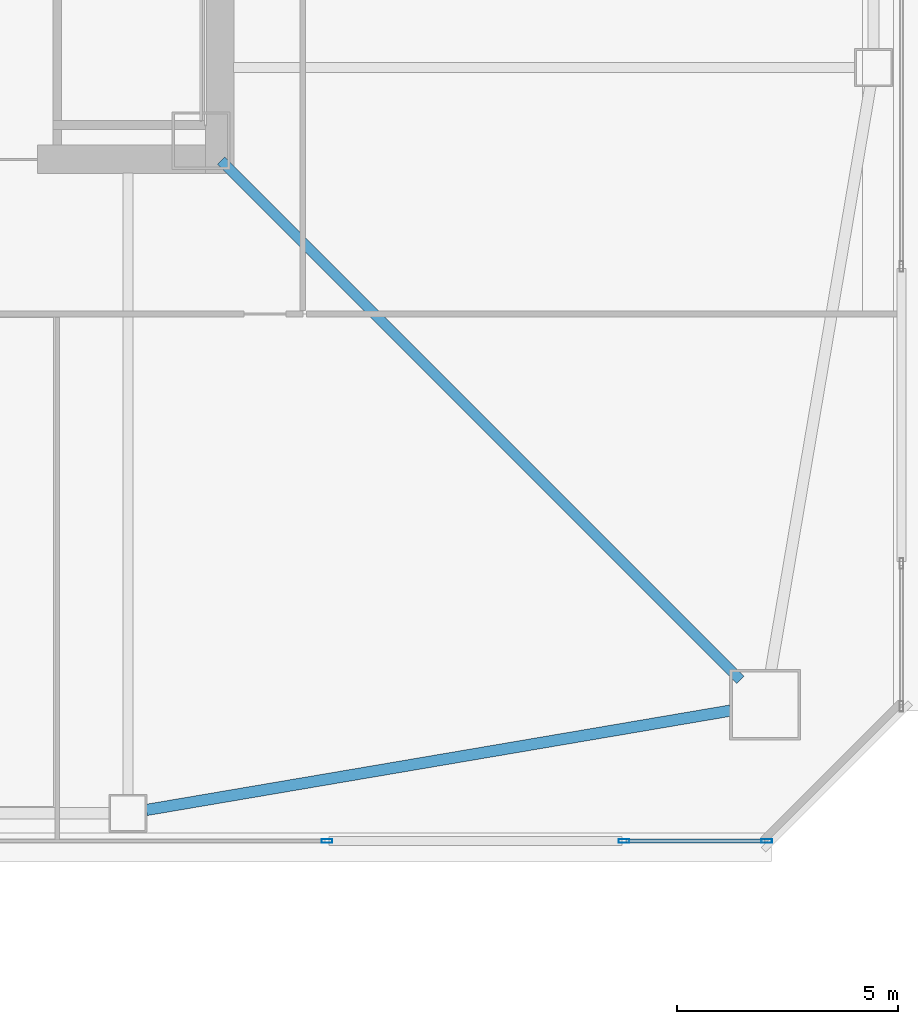
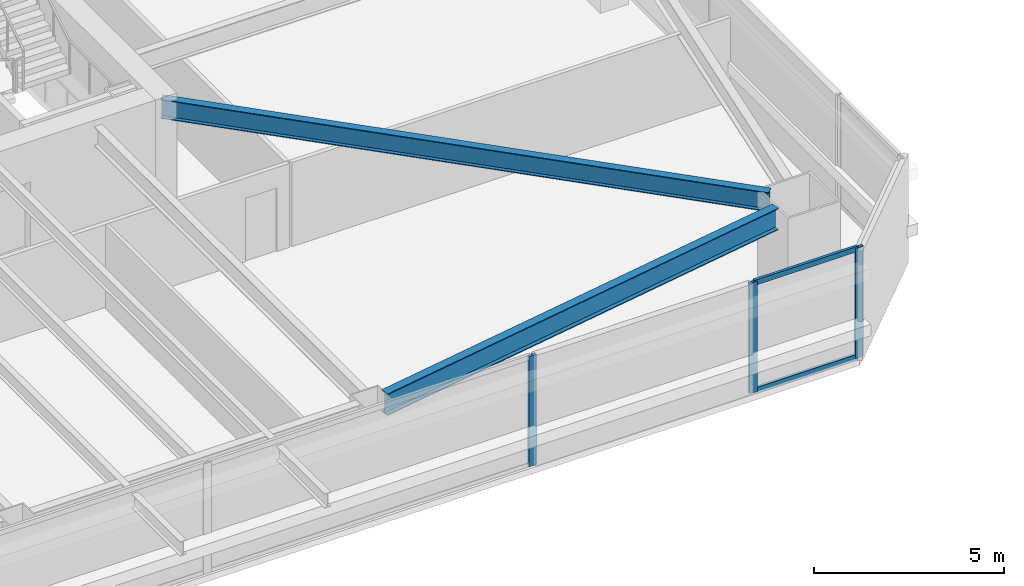
# One storey, part 9 of 48: 5 members, 2 beams, 2 elements without a shape of their own.
"""IFC4 building model written with IfcOpenShell, lengths in metres."""

import ifcopenshell
import ifcopenshell.guid

model = None  # the IFC model being written
_history = None  # IfcOwnerHistory: only IFC2X3 demands one
_inside = {}  # id of a spatial element -> (the spatial element, [elements in it])
_under = {}  # id of a project, library or spatial element -> (it, [spatial elements below it])
_declared = {}  # id of a project -> (the project, [libraries it declares])
_typed = {}  # id of a type object -> (the type object, [elements of that type])
_made_of = {}  # id of a material, layer set ... -> (it, [elements and type objects made of it])


def new_model(schema):
    """Start an empty IFC model of exactly this schema.

    Asked for "IFC4X3", IfcOpenShell would pick the latest addendum, in which some entities
    have other attributes; the version numbers below select the first issue.
    IFC2X3 requires an IfcOwnerHistory on every rooted entity: one is made here for all.
    """
    global model, _history
    if schema == "IFC4X3":
        model = ifcopenshell.file(schema_version=(4, 3, 0, 0))
    else:
        model = ifcopenshell.file(schema=schema)
    _inside.clear()
    _under.clear()
    _declared.clear()
    _typed.clear()
    _made_of.clear()
    _history = None
    if model.schema == "IFC2X3":
        org = make("IfcOrganization", Name="unknown")
        user = make(
            "IfcPersonAndOrganization",
            ThePerson=make("IfcPerson", FamilyName="unknown"),
            TheOrganization=org,
        )
        app = make(
            "IfcApplication",
            ApplicationDeveloper=org,
            Version="unknown",
            ApplicationFullName="unknown",
            ApplicationIdentifier="unknown",
        )
        _history = make(
            "IfcOwnerHistory",
            OwningUser=user,
            OwningApplication=app,
            ChangeAction="ADDED",
            CreationDate=0,
        )
    return model


def make(cls, **values):
    """One entity of the class cls with the attributes given. An attribute that is None is left unset."""
    return model.create_entity(
        cls, **{name: value for name, value in values.items() if value is not None}
    )


def rooted(cls, **values):
    """An entity with a GlobalId (a new one), such as an element, a storey or a relation."""
    return make(cls, GlobalId=ifcopenshell.guid.new(), OwnerHistory=_history, **values)


def si_unit(unit_type, name, prefix=None):
    """IfcSIUnit, for example si_unit("LENGTHUNIT", "METRE", prefix="MILLI")."""
    return make("IfcSIUnit", UnitType=unit_type, Prefix=prefix, Name=name)


def assignment(units):
    """IfcUnitAssignment: the units of a project."""
    return None if units is None else make("IfcUnitAssignment", Units=units)


def point(xyz):
    """IfcCartesianPoint."""
    return None if xyz is None else make("IfcCartesianPoint", Coordinates=xyz)


def direction(xyz):
    """IfcDirection."""
    return None if xyz is None else make("IfcDirection", DirectionRatios=xyz)


def frame(location, z_axis=None, x_axis=None):
    """IfcAxis2Placement3D, a coordinate frame: its origin and axes. An axis left out is left unset."""
    return make(
        "IfcAxis2Placement3D",
        Location=point(location),
        Axis=direction(z_axis),
        RefDirection=direction(x_axis),
    )


def frame_2d(location, x_axis=None):
    """IfcAxis2Placement2D, a coordinate frame in the plane: its origin and x axis."""
    return make(
        "IfcAxis2Placement2D", Location=point(location), RefDirection=direction(x_axis)
    )


def origin():
    """The frame at (0, 0, 0) with its axes left unset."""
    return frame((0.0, 0.0, 0.0))


def origin_2d():
    """The frame at (0, 0) in the plane with its x axis left unset."""
    return frame_2d((0.0, 0.0))


def place(relative_to, where):
    """IfcLocalPlacement: puts the frame where relative to a parent placement (None: the world)."""
    return make(
        "IfcLocalPlacement", PlacementRelTo=relative_to, RelativePlacement=where
    )


def context(
    kind, dimensions, precision=None, world=None, true_north=None, identifier=None
):
    """IfcGeometricRepresentationContext, for example the 3D "Model" context."""
    return make(
        "IfcGeometricRepresentationContext",
        ContextIdentifier=identifier,
        ContextType=kind,
        CoordinateSpaceDimension=dimensions,
        Precision=precision,
        WorldCoordinateSystem=world,
        TrueNorth=true_north,
    )


def subcontext(parent, identifier, kind, view, scale=None):
    """IfcGeometricRepresentationSubContext, for example "Body" below "Model"."""
    return make(
        "IfcGeometricRepresentationSubContext",
        ContextIdentifier=identifier,
        ContextType=kind,
        ParentContext=parent,
        TargetScale=scale,
        TargetView=view,
    )


def project(units=None, contexts=None):
    """IfcProject with its units and contexts."""
    return rooted(
        "IfcProject",
        Name="project",
        RepresentationContexts=contexts,
        UnitsInContext=assignment(units),
    )


def spatial(cls, under=None, at=None, **own):
    """A site, building, storey or space (cls), placed at a placement, below another one or the project."""
    s = rooted(cls, ObjectPlacement=at, **own)
    if under is not None:
        _under.setdefault(under.id(), (under, []))[1].append(s)
    return s


def profile(cls, at=None, kind="AREA", **sizes):
    """A parametric profile (cls). Its sizes go by their IFC names, for example OverallWidth=200.0."""
    return make(cls, ProfileType=kind, Position=at, **sizes)


def hollow_rectangle(**sizes):
    """IfcRectangleHollowProfileDef."""
    return profile("IfcRectangleHollowProfileDef", **sizes)


def i_section(**sizes):
    """IfcIShapeProfileDef."""
    return profile("IfcIShapeProfileDef", **sizes)


def extrude(swept, where, along, depth):
    """IfcExtrudedAreaSolid: the profile swept, set in the frame where, extruded along a direction by depth."""
    return make(
        "IfcExtrudedAreaSolid",
        SweptArea=swept,
        Position=where,
        ExtrudedDirection=direction(along),
        Depth=depth,
    )


def shape(context_of_items, identifier, shape_type, items):
    """IfcShapeRepresentation: the items that make up one representation, for example the "Body"."""
    return make(
        "IfcShapeRepresentation",
        ContextOfItems=context_of_items,
        RepresentationIdentifier=identifier,
        RepresentationType=shape_type,
        Items=items,
    )


def material(Name=None, Category=None):
    """IfcMaterial."""
    return make("IfcMaterial", Name=Name, Category=Category)


def material_profile(
    of_material, cross_section, Name=None, Category=None, Priority=None
):
    """IfcMaterialProfile: a cross section and its material."""
    return make(
        "IfcMaterialProfile",
        Name=Name,
        Material=of_material,
        Profile=cross_section,
        Priority=Priority,
        Category=Category,
    )


def profile_set(profiles, Name=None, composite=None):
    """IfcMaterialProfileSet."""
    return make(
        "IfcMaterialProfileSet",
        Name=Name,
        MaterialProfiles=profiles,
        CompositeProfile=composite,
    )


def made_of(thing, what):
    """Note that an element or type object is made of a material, layer set ...; save() writes the relation."""
    if what is not None:
        _made_of.setdefault(what.id(), (what, []))[1].append(thing)
    return thing


def type_object(cls, material=None, **own):
    """A type object (cls), such as IfcWallType, which elements share."""
    return made_of(rooted(cls, **own), material)


def element(
    cls,
    number,
    at=None,
    inside=None,
    cuts=None,
    type_object=None,
    material=None,
    context=None,
    identifier="Body",
    shape_type=None,
    held_by="IfcProductDefinitionShape",
    body=None,
    shapes=None,
    **own,
):
    """One element of the class cls, such as IfcWall. Its Tag is "e" and its number.

    at: its placement. inside: the storey or other place that contains it. cuts: it is an
    opening in that element (IfcRelVoidsElement). A single representation is given by context,
    identifier, shape_type and body (its items); several are given by shapes. held_by: the class
    of the entity that holds the representations. save() writes the other relations.
    """
    e = rooted(cls, Tag="e%d" % number, ObjectPlacement=at, **own)
    if body is not None:
        shapes = [shape(context, identifier, shape_type, body)]
    if shapes is not None:
        e.Representation = make(held_by, Representations=shapes)
    if inside is not None:
        _inside.setdefault(inside.id(), (inside, []))[1].append(e)
    if cuts is not None:
        rooted(
            "IfcRelVoidsElement", RelatingBuildingElement=cuts, RelatedOpeningElement=e
        )
    if type_object is not None:
        _typed.setdefault(type_object.id(), (type_object, []))[1].append(e)
    return made_of(e, material)


def aggregate(whole, parts):
    """IfcRelAggregates: a whole, such as a stair, and the parts it consists of."""
    return rooted("IfcRelAggregates", RelatingObject=whole, RelatedObjects=parts)


def save(model, path):
    """Write the relations noted so far, then the file.

    IfcRelAggregates (storeys below a building ...), IfcRelContainedInSpatialStructure (elements
    in a storey), IfcRelDefinesByType, IfcRelAssociatesMaterial and IfcRelDeclares: one each for
    every whole, place, type object, material and project.
    """
    for whole, parts in _under.values():
        aggregate(whole, parts)
    for where, things in _inside.values():
        rooted(
            "IfcRelContainedInSpatialStructure",
            RelatedElements=things,
            RelatingStructure=where,
        )
    for kind, things in _typed.values():
        rooted("IfcRelDefinesByType", RelatedObjects=things, RelatingType=kind)
    for what, things in _made_of.values():
        rooted("IfcRelAssociatesMaterial", RelatedObjects=things, RelatingMaterial=what)
    for by, libraries in _declared.values():
        rooted("IfcRelDeclares", RelatingContext=by, RelatedDefinitions=libraries)
    model.write(path)


model = new_model("IFC4")

# Units and contexts
model_context = context("Model", 3, precision=1e-05, world=origin(), true_north=direction((0.0, 1.0)))
body_context = subcontext(model_context, "Body", "Model", "MODEL_VIEW")
ifc_project = project(units=[si_unit("LENGTHUNIT", "METRE"), si_unit("AREAUNIT", "SQUARE_METRE"), si_unit("VOLUMEUNIT", "CUBIC_METRE"), si_unit("PLANEANGLEUNIT", "RADIAN"), si_unit("MASSUNIT", "GRAM", prefix="KILO")], contexts=[model_context])

# Site, building, storey
site_placement = place(None, origin())
site = spatial("IfcSite", under=ifc_project, at=site_placement, CompositionType="ELEMENT")
building_placement = place(site_placement, origin())
building = spatial("IfcBuilding", under=site, at=building_placement, Name="Tashvorn Skyway Center", CompositionType="ELEMENT")
storey_placement = place(building_placement, frame((0.0, 0.0, 53.0)))
storey = spatial("IfcBuildingStorey", under=building, at=storey_placement, Name="L13", CompositionType="ELEMENT", Elevation=53.0)

# Beams
ifc_material_1 = material(Name="Steel ASTM A992 Grade 50", Category="steel")
ifc_material_profile_1 = material_profile(ifc_material_1, i_section(OverallWidth=0.22998046875, OverallDepth=0.616943359375, WebThickness=0.01318359375, FlangeThickness=0.022216796875, at=origin_2d()), Name="W24X94")
ifc_profile_set_1 = profile_set([ifc_material_profile_1], Name="Steel ASTM A992 Grade 50")
beam_type_1 = type_object("IfcBeamType", Name="BM-BEAM-W24X94", PredefinedType="BEAM", material=ifc_profile_set_1)
beam_1_placement = place(storey_placement, frame((61.23779296875, 12.76220703125, 3.04150390625), z_axis=(-0.707106781187, 0.707106781187, 0.0), x_axis=(-0.707106781187, -0.707106781187, 0.0)))
element("IfcBeam", 1, at=beam_1_placement, inside=storey, type_object=beam_type_1, Name="Tower 1 L13 Primary Floor Girder MC-SE", PredefinedType="BEAM", context=body_context, shape_type="SweptSolid", body=[
    extrude(i_section(OverallWidth=0.22998046875, OverallDepth=0.616943359375, WebThickness=0.01318359375, FlangeThickness=0.022216796875, at=origin_2d()), origin(), (0.0, 0.0, 1.0), 16.591064453125),
])
ifc_material_profile_2 = material_profile(ifc_material_1, i_section(OverallWidth=0.256103515625, OverallDepth=0.693115234375, WebThickness=0.014404296875, FlangeThickness=0.023681640625, at=origin_2d()), Name="W27X114")
ifc_profile_set_2 = profile_set([ifc_material_profile_2], Name="Steel ASTM A992 Grade 50")
beam_type_2 = type_object("IfcBeamType", Name="BM-SPANDREL-W27X114", PredefinedType="SPANDREL", material=ifc_profile_set_2)
beam_2_placement = place(storey_placement, frame((47.81396484375, 9.820556640625, 3.00341796875), z_axis=(0.985835025551, 0.16771792509, 0.0), x_axis=(-0.16771792509, 0.985835025551, 0.0)))
element("IfcBeam", 2, at=beam_2_placement, inside=storey, type_object=beam_type_2, Name="Tower 1 L13 Spandrel Beam 03", PredefinedType="SPANDREL", context=body_context, shape_type="SweptSolid", body=[
    extrude(i_section(OverallWidth=0.256103515625, OverallDepth=0.693115234375, WebThickness=0.014404296875, FlangeThickness=0.023681640625, at=origin_2d()), origin(), (0.0, 0.0, 1.0), 13.39208984375),
])

# Curtain wall, members
ifc_material_2 = material(Name="Thermally broken bronze-anodized aluminium 6063-T6", Category="aluminium")
curtain_wall_type = type_object("IfcCurtainWallType", Name="CW-CW-Z1", PredefinedType="NOTDEFINED", material=ifc_material_2)
curtain_wall_1_placement = place(storey_placement, origin())
curtain_wall_1 = element("IfcCurtainWall", 3, at=curtain_wall_1_placement, inside=storey, type_object=curtain_wall_type, Name="Tower 1 L13 South Unitised Curtain Wall Glazing Group 1", PredefinedType="NOTDEFINED")
ifc_material_profile_3 = material_profile(ifc_material_2, hollow_rectangle(XDim=0.0849609375, YDim=0.239990234375, WallThickness=0.0048828125, at=origin_2d()), Name="ALU-MULL-85x240")
ifc_profile_set_3 = profile_set([ifc_material_profile_3], Name="Thermally broken bronze-anodized aluminium 6063-T6")
member_type_1 = type_object("IfcMemberType", Name="CWM-CW-Z1", PredefinedType="MULLION", material=ifc_profile_set_3)
member_1_placement = place(storey_placement, frame((61.83740234375, 9.1201171875, 0.0), z_axis=(0.0, 0.0, 1.0), x_axis=(0.0, -1.0, 0.0)))
member_1 = element("IfcMember", 4, at=member_1_placement, type_object=member_type_1, Name="CW-Z1 mullion 1", PredefinedType="MULLION", context=body_context, shape_type="SweptSolid", body=[
    extrude(hollow_rectangle(XDim=0.0849609375, YDim=0.239990234375, WallThickness=0.0048828125, at=origin_2d()), origin(), (0.0, 0.0, 1.0), 3.550048828125),
])
member_2_placement = place(storey_placement, frame((58.609130859375, 9.1201171875, 0.0), z_axis=(0.0, 0.0, 1.0), x_axis=(0.0, -1.0, 0.0)))
member_2 = element("IfcMember", 5, at=member_2_placement, type_object=member_type_1, Name="CW-Z1 mullion 2", PredefinedType="MULLION", context=body_context, shape_type="SweptSolid", body=[
    extrude(hollow_rectangle(XDim=0.0849609375, YDim=0.239990234375, WallThickness=0.0048828125, at=origin_2d()), origin(), (0.0, 0.0, 1.0), 3.550048828125),
])

# Curtain wall, member
curtain_wall_2_placement = place(storey_placement, origin())
curtain_wall_2 = element("IfcCurtainWall", 6, at=curtain_wall_2_placement, inside=storey, type_object=curtain_wall_type, Name="Tower 1 L13 South Unitised Curtain Wall Glazing Group 2", PredefinedType="NOTDEFINED")
member_3_placement = place(storey_placement, frame((51.8974609375, 9.1201171875, 0.0), z_axis=(0.0, 0.0, 1.0), x_axis=(0.0, -1.0, 0.0)))
member_3 = element("IfcMember", 7, at=member_3_placement, type_object=member_type_1, Name="CW-Z1 mullion 1", PredefinedType="MULLION", context=body_context, shape_type="SweptSolid", body=[
    extrude(hollow_rectangle(XDim=0.0849609375, YDim=0.239990234375, WallThickness=0.0048828125, at=origin_2d()), origin(), (0.0, 0.0, 1.0), 3.550048828125),
])
aggregate(curtain_wall_2, [member_3])

# Member
ifc_material_profile_4 = material_profile(ifc_material_2, hollow_rectangle(XDim=0.0849609375, YDim=0.1650390625, WallThickness=0.0048828125, at=origin_2d()), Name="ALU-TRAN-85x165")
ifc_profile_set_4 = profile_set([ifc_material_profile_4], Name="Thermally broken bronze-anodized aluminium 6063-T6")
member_type_2 = type_object("IfcMemberType", Name="CWT-CW-Z1", PredefinedType="USERDEFINED", material=ifc_profile_set_4)
member_4_placement = place(storey_placement, frame((61.794921875, 9.1201171875, 0.04248046875), z_axis=(-1.0, 0.0, 0.0), x_axis=(0.0, -1.0, 0.0)))
member_4 = element("IfcMember", 8, at=member_4_placement, type_object=member_type_2, Name="CW-Z1 transom 1.1", ObjectType="TRANSOM", PredefinedType="USERDEFINED", context=body_context, shape_type="SweptSolid", body=[
    extrude(hollow_rectangle(XDim=0.0849609375, YDim=0.1650390625, WallThickness=0.0048828125, at=origin_2d()), origin(), (0.0, 0.0, 1.0), 3.143310546875),
])

member_5_placement = place(storey_placement, frame((61.794921875, 9.1201171875, 3.507568359375), z_axis=(-1.0, 0.0, 0.0), x_axis=(0.0, -1.0, 0.0)))
member_5 = element("IfcMember", 9, at=member_5_placement, type_object=member_type_2, Name="CW-Z1 transom 1.2", ObjectType="TRANSOM", PredefinedType="USERDEFINED", context=body_context, shape_type="SweptSolid", body=[
    extrude(hollow_rectangle(XDim=0.0849609375, YDim=0.1650390625, WallThickness=0.0048828125, at=origin_2d()), origin(), (0.0, 0.0, 1.0), 3.143310546875),
])

aggregate(curtain_wall_1, [member_1, member_2, member_4, member_5])

save(model, "model.ifc")
